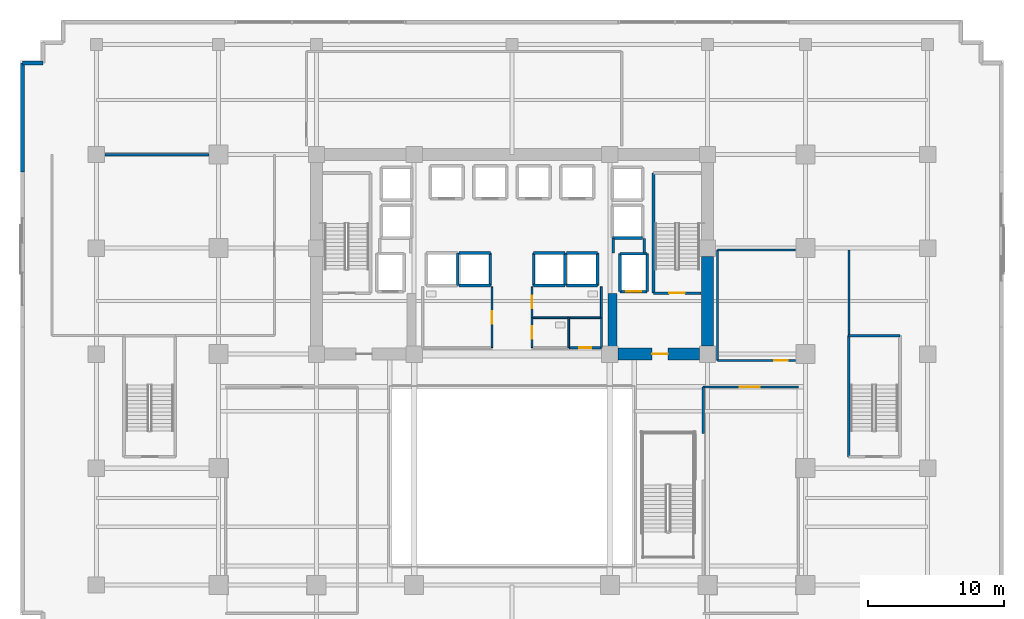
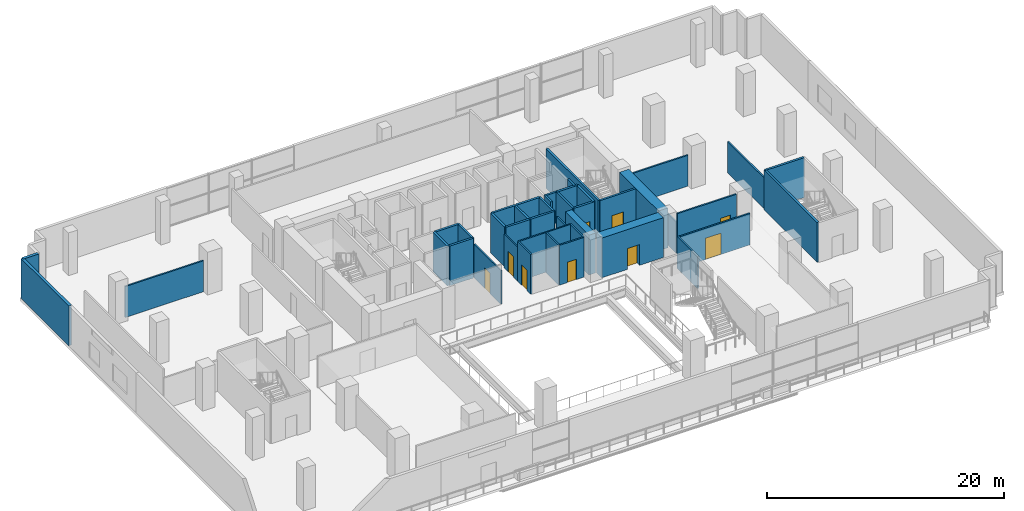
# One storey, part 14 of 23: 42 walls, 9 doors, 9 openings.
"""IFC4 building model written with IfcOpenShell, lengths in metres."""

from ifc_helpers import new_model, si_unit, direction, frame, frame_2d, origin, place, context, subcontext, project, spatial, rectangle, extrude, source, transform, mapped, material, layer, layer_set, type_object, element, fill, save


model = new_model("IFC4")

# Units and contexts
model_context = context("Model", 3, precision=1e-05, world=origin(), true_north=direction((0.0, 1.0)))
body_context = subcontext(model_context, "Body", "Model", "MODEL_VIEW")
ifc_project = project(units=[si_unit("LENGTHUNIT", "METRE"), si_unit("AREAUNIT", "SQUARE_METRE"), si_unit("VOLUMEUNIT", "CUBIC_METRE"), si_unit("PLANEANGLEUNIT", "RADIAN"), si_unit("MASSUNIT", "GRAM", prefix="KILO")], contexts=[model_context])

# Site, building, storey
site_placement = place(None, origin())
site = spatial("IfcSite", under=ifc_project, at=site_placement, CompositionType="ELEMENT")
building_placement = place(site_placement, origin())
building = spatial("IfcBuilding", under=site, at=building_placement, Name="Zarnakvel Exchange Tower", CompositionType="ELEMENT")
storey_placement = place(building_placement, frame((0.0, 0.0, 13.800048828125)))
storey = spatial("IfcBuildingStorey", under=building, at=storey_placement, Name="L03", CompositionType="ELEMENT", Elevation=13.800048828125)

# Wall
ifc_material_1 = material(Name="Concrete C80/95", Category="concrete")
ifc_layer_1 = layer(ifc_material_1, 0.89990234375)
ifc_layer_set_1 = layer_set([ifc_layer_1], Name="Concrete C80/95")
wall_type_1 = type_object("IfcWallType", Name="CW-C1", PredefinedType="SHEAR", material=ifc_layer_set_1)
wall_1_placement = place(storey_placement, frame((14.39990234375, -0.60009765625, 0.0), z_axis=(0.0, 0.0, 1.0), x_axis=(0.0, 1.0, 0.0)))
element("IfcWall", 1, at=wall_1_placement, inside=storey, type_object=wall_type_1, Name="L03 Rear Core Shear Wall E1 (CW-C1)", PredefinedType="SHEAR", context=body_context, shape_type="SweptSolid", body=[
    extrude(rectangle(XDim=6.60009765625, YDim=0.89990234375, at=frame_2d((3.300048828125, 0.0))), origin(), (0.0, 0.0, 1.0), 4.099853515625),
])

# Wall, opening, door
wall_2_placement = place(storey_placement, frame((13.800048828125, -1.199951171875, 0.0), z_axis=(0.0, 0.0, 1.0), x_axis=(-1.0, 0.0, 0.0)))
wall_2 = element("IfcWall", 2, at=wall_2_placement, inside=storey, type_object=wall_type_1, Name="L03 Rear Core Shear Wall SE (CW-C1)", PredefinedType="SHEAR", context=body_context, shape_type="SweptSolid", body=[
    extrude(rectangle(XDim=6.0, YDim=0.89990234375, at=frame_2d((3.0, 0.0))), origin(), (0.0, 0.0, 1.0), 4.099853515625),
])
opening_1_placement = place(wall_2_placement, frame((2.324951171875, 0.0, 0.0)))
opening_1 = element("IfcOpeningElement", 3, at=opening_1_placement, cuts=wall_2, Name="Opening D-L03-04", PredefinedType="OPENING", context=body_context, shape_type="SweptSolid", body=[
    extrude(rectangle(XDim=1.14990234375, YDim=2.14990234375, at=frame_2d((0.574951171875, 1.074951171875))), frame((0.0, 0.4599609375, 0.0), z_axis=(0.0, -1.0, 0.0), x_axis=(1.0, 0.0, 0.0)), (0.0, 0.0, 1.0), 0.919921875),
])
ifc_material_2 = material(Name="Painted Galvanised Steel S355", Category="steel")
door_type_1 = type_object("IfcDoorType", Name="DT-04", OperationType="NOTDEFINED", PredefinedType="DOOR", material=ifc_material_2)
shared_shape_1 = source(origin(), body_context, "Body", "SweptSolid", [
    extrude(rectangle(XDim=1.14990234375, YDim=2.14990234375, at=frame_2d((0.574951171875, 1.074951171875))), frame((0.0, 0.02490234375, 0.0), z_axis=(0.0, -1.0, 0.0), x_axis=(1.0, 0.0, 0.0)), (0.0, 0.0, 1.0), 0.050048828125),
])
door_1_placement = place(opening_1_placement, origin())
door_1 = element("IfcDoor", 4, at=door_1_placement, inside=storey, type_object=door_type_1, Name="L03 Firefighting Lobby East Door D-L03-04", OperationType="SINGLE_SWING_RIGHT", OverallHeight=2.14990234375, OverallWidth=1.14990234375, PredefinedType="DOOR", context=body_context, shape_type="MappedRepresentation", body=[
    mapped(shared_shape_1, transform((0.0, 0.0, 0.0), x_axis=(1.0, 0.0, 0.0), y_axis=(0.0, 1.0, 0.0), z_axis=(0.0, 0.0, 1.0), scale=1.0)),
])
fill(opening_1, door_1)

# Walls
ifc_layer_2 = layer(ifc_material_1, 0.64990234375)
ifc_layer_set_2 = layer_set([ifc_layer_2], Name="Concrete C80/95")
wall_type_2 = type_object("IfcWallType", Name="CW-C2", PredefinedType="SHEAR", material=ifc_layer_set_2)
wall_3_placement = place(storey_placement, frame((7.39990234375, -0.75, 0.0), z_axis=(0.0, 0.0, 1.0), x_axis=(0.0, 1.0, 0.0)))
element("IfcWall", 5, at=wall_3_placement, inside=storey, type_object=wall_type_2, Name="L03 Rear Core Shear Wall IE (CW-C2)", PredefinedType="SHEAR", context=body_context, shape_type="SweptSolid", body=[
    extrude(rectangle(XDim=4.0, YDim=0.64990234375, at=frame_2d((2.0, 0.0))), origin(), (0.0, 0.0, 1.0), 4.099853515625),
])
ifc_material_3 = material(Name="Precast concrete C40/50", Category="concrete")
ifc_layer_3 = layer(ifc_material_3, 0.280029296875)
ifc_layer_set_3 = layer_set([ifc_layer_3], Name="Precast concrete C40/50")
wall_type_3 = type_object("IfcWallType", Name="EW-01", PredefinedType="SOLIDWALL", material=ifc_layer_set_3)
wall_4_placement = place(storey_placement, frame((-36.0400390625, 20.239990234375, 0.0), z_axis=(0.0, 0.0, 1.0), x_axis=(0.0, -1.0, 0.0)))
element("IfcWall", 6, at=wall_4_placement, inside=storey, type_object=wall_type_3, Name="L03 Exterior Precast Spandrel Wall EWC-L03-02 (EW-01)", PredefinedType="SOLIDWALL", context=body_context, shape_type="SweptSolid", body=[
    extrude(rectangle(XDim=8.0400390625, YDim=0.280029296875, at=frame_2d((4.02001953125, 0.0))), origin(), (0.0, 0.0, 1.0), 4.099853515625),
])
wall_5_placement = place(storey_placement, frame((-34.5400390625, 20.239990234375, 0.0), z_axis=(0.0, 0.0, 1.0), x_axis=(-1.0, 0.0, 0.0)))
element("IfcWall", 7, at=wall_5_placement, inside=storey, type_object=wall_type_3, Name="L03 Exterior Precast Spandrel Wall EWC-L03-03 (EW-01)", PredefinedType="SOLIDWALL", context=body_context, shape_type="SweptSolid", body=[
    extrude(rectangle(XDim=1.5, YDim=0.280029296875, at=frame_2d((0.75, 0.0))), origin(), (0.0, 0.0, 1.0), 4.099853515625),
])

# Wall, opening, door
ifc_material_4 = material(Name="Fire-Rated Gypsum Stud Partition", Category="gypsum")
ifc_layer_4 = layer(ifc_material_4, 0.14990234375)
ifc_layer_set_4 = layer_set([ifc_layer_4], Name="Fire-Rated Gypsum Stud Partition")
wall_type_4 = type_object("IfcWallType", Name="PT-01", PredefinedType="PARTITIONING", material=ifc_layer_set_4)
wall_6_placement = place(storey_placement, frame((6.580078125, -0.72998046875, 0.0), z_axis=(0.0, 0.0, 1.0), x_axis=(-1.0, 0.0, 0.0)))
wall_6 = element("IfcWall", 8, at=wall_6_placement, inside=storey, type_object=wall_type_4, Name="L03 Partition Wall PWALL-L03-020 (PT-01)", PredefinedType="PARTITIONING", context=body_context, shape_type="SweptSolid", body=[
    extrude(rectangle(XDim=2.400146484375, YDim=0.14990234375, at=frame_2d((1.2001953125, 0.0))), origin(), (0.0, 0.0, 1.0), 4.099853515625),
])
opening_2_placement = place(wall_6_placement, frame((0.760009765625, 0.0, 0.0)))
opening_2 = element("IfcOpeningElement", 9, at=opening_2_placement, cuts=wall_6, Name="Opening D-L03-08", PredefinedType="OPENING", context=body_context, shape_type="SweptSolid", body=[
    extrude(rectangle(XDim=0.8798828125, YDim=2.10009765625, at=frame_2d((0.43994140625, 1.050048828125))), frame((0.0, 0.0849609375, 0.0), z_axis=(0.0, -1.0, 0.0), x_axis=(1.0, 0.0, 0.0)), (0.0, 0.0, 1.0), 0.169921875),
])
door_type_2 = type_object("IfcDoorType", Name="DT-08", OperationType="NOTDEFINED", PredefinedType="DOOR", material=ifc_material_2)
shared_shape_2 = source(origin(), body_context, "Body", "SweptSolid", [
    extrude(rectangle(XDim=0.8798828125, YDim=2.10009765625, at=frame_2d((0.43994140625, 1.050048828125))), frame((0.0, 0.02490234375, 0.0), z_axis=(0.0, -1.0, 0.0), x_axis=(1.0, 0.0, 0.0)), (0.0, 0.0, 1.0), 0.050048828125),
])
door_2_placement = place(opening_2_placement, origin())
door_2 = element("IfcDoor", 10, at=door_2_placement, inside=storey, type_object=door_type_2, Name="L03 Cleaners Store Door D-L03-08", OperationType="SINGLE_SWING_RIGHT", OverallHeight=2.10009765625, OverallWidth=0.8798828125, PredefinedType="DOOR", context=body_context, shape_type="MappedRepresentation", body=[
    mapped(shared_shape_2, transform((0.0, 0.0, 0.0), x_axis=(1.0, 0.0, 0.0), y_axis=(0.0, 1.0, 0.0), z_axis=(0.0, 0.0, 1.0), scale=1.0)),
])
fill(opening_2, door_2)

# Wall
wall_7_placement = place(storey_placement, frame((6.580078125, 1.47998046875, 0.0), z_axis=(0.0, 0.0, 1.0), x_axis=(0.0, -1.0, 0.0)))
element("IfcWall", 11, at=wall_7_placement, inside=storey, type_object=wall_type_4, Name="L03 Partition Wall PWALL-L03-021 (PT-01)", PredefinedType="PARTITIONING", context=body_context, shape_type="SweptSolid", body=[
    extrude(rectangle(XDim=2.2099609375, YDim=0.14990234375, at=frame_2d((1.10498046875, 0.0))), origin(), (0.0, 0.0, 1.0), 4.099853515625),
])

# Wall, opening, door
wall_8_placement = place(storey_placement, frame((14.080078125, -3.6298828125, 0.0), z_axis=(0.0, 0.0, 1.0), x_axis=(1.0, 0.0, 0.0)))
wall_8 = element("IfcWall", 12, at=wall_8_placement, inside=storey, type_object=wall_type_4, Name="L03 Partition Wall PWALL-L03-035 (PT-01)", PredefinedType="PARTITIONING", context=body_context, shape_type="SweptSolid", body=[
    extrude(rectangle(XDim=7.0, YDim=0.14990234375, at=frame_2d((3.5, 0.0))), origin(), (0.0, 0.0, 1.0), 3.239013671875),
])
opening_3_placement = place(wall_8_placement, frame((2.669921875, 0.0, 0.0)))
opening_3 = element("IfcOpeningElement", 13, at=opening_3_placement, cuts=wall_8, Name="Opening D-L03-12", PredefinedType="OPENING", context=body_context, shape_type="SweptSolid", body=[
    extrude(rectangle(XDim=1.5, YDim=2.199951171875, at=frame_2d((0.75, 1.10009765625))), frame((0.0, 0.0849609375, 0.0), z_axis=(0.0, -1.0, 0.0), x_axis=(1.0, 0.0, 0.0)), (0.0, 0.0, 1.0), 0.169921875),
])
ifc_material_5 = material(Name="Timber Acoustic Veneer", Category="wood")
door_type_3 = type_object("IfcDoorType", Name="DT-03", OperationType="NOTDEFINED", PredefinedType="DOOR", material=ifc_material_5)
shared_shape_3 = source(origin(), body_context, "Body", "SweptSolid", [
    extrude(rectangle(XDim=1.5, YDim=2.199951171875, at=frame_2d((0.75, 1.10009765625))), frame((0.0, 0.02490234375, 0.0), z_axis=(0.0, -1.0, 0.0), x_axis=(1.0, 0.0, 0.0)), (0.0, 0.0, 1.0), 0.050048828125),
])
door_3_placement = place(opening_3_placement, origin())
door_3 = element("IfcDoor", 14, at=door_3_placement, inside=storey, type_object=door_type_3, Name="L03 Auditorium Breakout Foyer Door D-L03-12", OperationType="DOUBLE_DOOR_SINGLE_SWING", OverallHeight=2.199951171875, OverallWidth=1.5, PredefinedType="DOOR", context=body_context, shape_type="MappedRepresentation", body=[
    mapped(shared_shape_3, transform((0.0, 0.0, 0.0), x_axis=(1.0, 0.0, 0.0), y_axis=(0.0, 1.0, 0.0), z_axis=(0.0, 0.0, 1.0), scale=1.0)),
])
fill(opening_3, door_3)

# Walls
wall_9_placement = place(storey_placement, frame((14.080078125, -7.050048828125, 0.0), z_axis=(0.0, 0.0, 1.0), x_axis=(0.0, 1.0, 0.0)))
element("IfcWall", 15, at=wall_9_placement, inside=storey, type_object=wall_type_4, Name="L03 Partition Wall PWALL-L03-037 (PT-01)", PredefinedType="PARTITIONING", context=body_context, shape_type="SweptSolid", body=[
    extrude(rectangle(XDim=3.420166015625, YDim=0.14990234375, at=frame_2d((1.7099609375, 0.0))), origin(), (0.0, 0.0, 1.0), 3.2900390625),
])
wall_10_placement = place(storey_placement, frame((-29.97998046875, 13.47998046875, 0.0), z_axis=(0.0, 0.0, 1.0), x_axis=(1.0, 0.0, 0.0)))
element("IfcWall", 16, at=wall_10_placement, inside=storey, type_object=wall_type_4, Name="L03 Partition Wall PWALL-L03-041 (PT-01)", PredefinedType="PARTITIONING", context=body_context, shape_type="SweptSolid", body=[
    extrude(rectangle(XDim=7.659912109375, YDim=0.14990234375, at=frame_2d((3.830078125, 0.0))), origin(), (0.0, 0.0, 1.0), 3.18994140625),
])

# Wall, opening, door
wall_11_placement = place(storey_placement, frame((20.8798828125, -1.669921875, 0.0), z_axis=(0.0, 0.0, 1.0), x_axis=(-1.0, 0.0, 0.0)))
wall_11 = element("IfcWall", 17, at=wall_11_placement, inside=storey, type_object=wall_type_4, Name="L03 Partition Wall PWALL-L03-044 (PT-01)", PredefinedType="PARTITIONING", context=body_context, shape_type="SweptSolid", body=[
    extrude(rectangle(XDim=5.759765625, YDim=0.14990234375, at=frame_2d((2.8798828125, 0.0))), origin(), (0.0, 0.0, 1.0), 4.099853515625),
])
opening_4_placement = place(wall_11_placement, frame((0.590087890625, 0.0, 0.0)))
opening_4 = element("IfcOpeningElement", 18, at=opening_4_placement, cuts=wall_11, Name="Opening D-L03-14", PredefinedType="OPENING", context=body_context, shape_type="SweptSolid", body=[
    extrude(rectangle(XDim=0.97998046875, YDim=2.14990234375, at=frame_2d((0.489990234375, 1.074951171875))), frame((0.0, 0.0849609375, 0.0), z_axis=(0.0, -1.0, 0.0), x_axis=(1.0, 0.0, 0.0)), (0.0, 0.0, 1.0), 0.169921875),
])
door_type_4 = type_object("IfcDoorType", Name="DT-05", OperationType="NOTDEFINED", PredefinedType="DOOR", material=ifc_material_5)
shared_shape_4 = source(origin(), body_context, "Body", "SweptSolid", [
    extrude(rectangle(XDim=0.97998046875, YDim=2.14990234375, at=frame_2d((0.489990234375, 1.074951171875))), frame((0.0, 0.02490234375, 0.0), z_axis=(0.0, -1.0, 0.0), x_axis=(1.0, 0.0, 0.0)), (0.0, 0.0, 1.0), 0.050048828125),
])
door_4_placement = place(opening_4_placement, origin())
door_4 = element("IfcDoor", 19, at=door_4_placement, inside=storey, type_object=door_type_4, Name="L03 Governors Boardroom Door D-L03-14", OperationType="SINGLE_SWING_RIGHT", OverallHeight=2.14990234375, OverallWidth=0.97998046875, PredefinedType="DOOR", context=body_context, shape_type="MappedRepresentation", body=[
    mapped(shared_shape_4, transform((0.0, 0.0, 0.0), x_axis=(1.0, 0.0, 0.0), y_axis=(0.0, 1.0, 0.0), z_axis=(0.0, 0.0, 1.0), scale=1.0)),
])
fill(opening_4, door_4)

# Walls
wall_12_placement = place(storey_placement, frame((15.1201171875, 6.47998046875, 0.0), z_axis=(0.0, 0.0, 1.0), x_axis=(1.0, 0.0, 0.0)))
element("IfcWall", 20, at=wall_12_placement, inside=storey, type_object=wall_type_4, Name="L03 Partition Wall PWALL-L03-045 (PT-01)", PredefinedType="PARTITIONING", context=body_context, shape_type="SweptSolid", body=[
    extrude(rectangle(XDim=5.759765625, YDim=0.14990234375, at=frame_2d((2.8798828125, 0.0))), origin(), (0.0, 0.0, 1.0), 3.18994140625),
])
wall_13_placement = place(storey_placement, frame((15.1201171875, -1.669921875, 0.0), z_axis=(0.0, 0.0, 1.0), x_axis=(0.0, 1.0, 0.0)))
element("IfcWall", 21, at=wall_13_placement, inside=storey, type_object=wall_type_4, Name="L03 Partition Wall PWALL-L03-046 (PT-01)", PredefinedType="PARTITIONING", context=body_context, shape_type="SweptSolid", body=[
    extrude(rectangle(XDim=8.14990234375, YDim=0.14990234375, at=frame_2d((4.074951171875, 0.0))), origin(), (0.0, 0.0, 1.0), 3.18994140625),
])
wall_14_placement = place(storey_placement, frame((24.820068359375, 6.47998046875, 0.0), z_axis=(0.0, 0.0, 1.0), x_axis=(0.0, -1.0, 0.0)))
element("IfcWall", 22, at=wall_14_placement, inside=storey, type_object=wall_type_4, Name="L03 Partition Wall PWALL-L03-047 (PT-01)", PredefinedType="PARTITIONING", context=body_context, shape_type="SweptSolid", body=[
    extrude(rectangle(XDim=6.320068359375, YDim=0.14990234375, at=frame_2d((3.16015625, 0.0))), origin(), (0.0, 0.0, 1.0), 3.18994140625),
])
ifc_layer_5 = layer(ifc_material_4, 0.179931640625)
ifc_layer_set_5 = layer_set([ifc_layer_5], Name="Fire-Rated Gypsum Stud Partition")
wall_type_5 = type_object("IfcWallType", Name="PT-02", PredefinedType="PARTITIONING", material=ifc_layer_set_5)
wall_15_placement = place(storey_placement, frame((7.469970703125, 6.239990234375, 0.0), z_axis=(0.0, 0.0, 1.0), x_axis=(0.0, 1.0, 0.0)))
element("IfcWall", 23, at=wall_15_placement, inside=storey, type_object=wall_type_5, Name="L03 Partition Wall PWALL-L03-009 (PT-02)", PredefinedType="PARTITIONING", context=body_context, shape_type="SweptSolid", body=[
    extrude(rectangle(XDim=1.090087890625, YDim=0.179931640625, at=frame_2d((0.544921875, 0.0))), origin(), (0.0, 0.0, 1.0), 3.18994140625),
])
wall_16_placement = place(storey_placement, frame((9.72998046875, 7.330078125, 0.0), z_axis=(0.0, 0.0, 1.0), x_axis=(0.0, -1.0, 0.0)))
element("IfcWall", 24, at=wall_16_placement, inside=storey, type_object=wall_type_5, Name="L03 Partition Wall PWALL-L03-010 (PT-02)", PredefinedType="PARTITIONING", context=body_context, shape_type="SweptSolid", body=[
    extrude(rectangle(XDim=1.090087890625, YDim=0.179931640625, at=frame_2d((0.544921875, 0.0))), origin(), (0.0, 0.0, 1.0), 4.099853515625),
])

# Wall, opening, door
ifc_material_6 = material(Name="Moisture-Resistant Tile-Faced Partition", Category="gypsum")
ifc_layer_6 = layer(ifc_material_6, 0.135009765625)
ifc_layer_set_6 = layer_set([ifc_layer_6], Name="Moisture-Resistant Tile-Faced Partition")
wall_type_6 = type_object("IfcWallType", Name="PT-03", PredefinedType="PARTITIONING", material=ifc_layer_set_6)
wall_17_placement = place(storey_placement, frame((-1.469970703125, 3.760009765625, 0.0), z_axis=(0.0, 0.0, 1.0), x_axis=(0.0, -1.0, 0.0)))
wall_17 = element("IfcWall", 25, at=wall_17_placement, inside=storey, type_object=wall_type_6, Name="L03 Partition Wall PWALL-L03-013 (PT-03)", PredefinedType="PARTITIONING", context=body_context, shape_type="SweptSolid", body=[
    extrude(rectangle(XDim=4.489990234375, YDim=0.135009765625, at=frame_2d((2.2451171875, 0.0))), origin(), (0.0, 0.0, 1.0), 3.47265625),
])
opening_5_placement = place(wall_17_placement, frame((1.800048828125, 0.0, 0.0)))
opening_5 = element("IfcOpeningElement", 26, at=opening_5_placement, cuts=wall_17, Name="Opening D-L03-05", PredefinedType="OPENING", context=body_context, shape_type="SweptSolid", body=[
    extrude(rectangle(XDim=0.919921875, YDim=2.10009765625, at=frame_2d((0.4599609375, 1.050048828125))), frame((0.0, 0.077392578125, 0.0), z_axis=(0.0, -1.0, 0.0), x_axis=(1.0, 0.0, 0.0)), (0.0, 0.0, 1.0), 0.155029296875),
])
ifc_material_7 = material(Name="Moisture-Resistant Laminate Timber", Category="wood")
door_type_5 = type_object("IfcDoorType", Name="DT-07", OperationType="NOTDEFINED", PredefinedType="DOOR", material=ifc_material_7)
shared_shape_5 = source(origin(), body_context, "Body", "SweptSolid", [
    extrude(rectangle(XDim=0.919921875, YDim=2.10009765625, at=frame_2d((0.4599609375, 1.050048828125))), frame((0.0, 0.02490234375, 0.0), z_axis=(0.0, -1.0, 0.0), x_axis=(1.0, 0.0, 0.0)), (0.0, 0.0, 1.0), 0.050048828125),
])
door_5_placement = place(opening_5_placement, origin())
door_5 = element("IfcDoor", 27, at=door_5_placement, inside=storey, type_object=door_type_5, Name="L03 Male Toilet Door D-L03-05", OperationType="SINGLE_SWING_LEFT", OverallHeight=2.10009765625, OverallWidth=0.919921875, PredefinedType="DOOR", context=body_context, shape_type="MappedRepresentation", body=[
    mapped(shared_shape_5, transform((0.0, 0.0, 0.0), x_axis=(1.0, 0.0, 0.0), y_axis=(0.0, 1.0, 0.0), z_axis=(0.0, 0.0, 1.0), scale=1.0)),
])
fill(opening_5, door_5)

# Wall
wall_18_placement = place(storey_placement, frame((6.580078125, 1.47998046875, 0.0), z_axis=(0.0, 0.0, 1.0), x_axis=(-1.0, 0.0, 0.0)))
element("IfcWall", 28, at=wall_18_placement, inside=storey, type_object=wall_type_6, Name="L03 Partition Wall PWALL-L03-014 (PT-03)", PredefinedType="PARTITIONING", context=body_context, shape_type="SweptSolid", body=[
    extrude(rectangle(XDim=5.110107421875, YDim=0.135009765625, at=frame_2d((2.55517578125, 0.0))), origin(), (0.0, 0.0, 1.0), 4.099853515625),
])

# Wall, opening, door
wall_19_placement = place(storey_placement, frame((1.469970703125, 1.47998046875, 0.0), z_axis=(0.0, 0.0, 1.0), x_axis=(0.0, 1.0, 0.0)))
wall_19 = element("IfcWall", 29, at=wall_19_placement, inside=storey, type_object=wall_type_6, Name="L03 Partition Wall PWALL-L03-015 (PT-03)", PredefinedType="PARTITIONING", context=body_context, shape_type="SweptSolid", body=[
    extrude(rectangle(XDim=2.280029296875, YDim=0.135009765625, at=frame_2d((1.14013671875, 0.0))), origin(), (0.0, 0.0, 1.0), 3.47265625),
])
opening_6_placement = place(wall_19_placement, frame((0.679931640625, 0.0, 0.0)))
opening_6 = element("IfcOpeningElement", 30, at=opening_6_placement, cuts=wall_19, Name="Opening D-L03-06", PredefinedType="OPENING", context=body_context, shape_type="SweptSolid", body=[
    extrude(rectangle(XDim=0.919921875, YDim=2.10009765625, at=frame_2d((0.4599609375, 1.050048828125))), frame((0.0, 0.077392578125, 0.0), z_axis=(0.0, -1.0, 0.0), x_axis=(1.0, 0.0, 0.0)), (0.0, 0.0, 1.0), 0.155029296875),
])
door_6_placement = place(opening_6_placement, origin())
door_6 = element("IfcDoor", 31, at=door_6_placement, inside=storey, type_object=door_type_5, Name="L03 Female Toilet Door D-L03-06", OperationType="SINGLE_SWING_RIGHT", OverallHeight=2.10009765625, OverallWidth=0.919921875, PredefinedType="DOOR", context=body_context, shape_type="MappedRepresentation", body=[
    mapped(shared_shape_5, transform((0.0, 0.0, 0.0), x_axis=(1.0, 0.0, 0.0), y_axis=(0.0, 1.0, 0.0), z_axis=(0.0, 0.0, 1.0), scale=1.0)),
])
fill(opening_6, door_6)

# Wall
wall_20_placement = place(storey_placement, frame((6.580078125, 3.760009765625, 0.0), z_axis=(0.0, 0.0, 1.0), x_axis=(0.0, -1.0, 0.0)))
element("IfcWall", 32, at=wall_20_placement, inside=storey, type_object=wall_type_6, Name="L03 Partition Wall PWALL-L03-016 (PT-03)", PredefinedType="PARTITIONING", context=body_context, shape_type="SweptSolid", body=[
    extrude(rectangle(XDim=2.280029296875, YDim=0.135009765625, at=frame_2d((1.14013671875, 0.0))), origin(), (0.0, 0.0, 1.0), 3.47265625),
])

# Wall, opening, door
wall_21_placement = place(storey_placement, frame((1.469970703125, -0.72998046875, 0.0), z_axis=(0.0, 0.0, 1.0), x_axis=(0.0, 1.0, 0.0)))
wall_21 = element("IfcWall", 33, at=wall_21_placement, inside=storey, type_object=wall_type_6, Name="L03 Partition Wall PWALL-L03-018 (PT-03)", PredefinedType="PARTITIONING", context=body_context, shape_type="SweptSolid", body=[
    extrude(rectangle(XDim=2.2099609375, YDim=0.135009765625, at=frame_2d((1.10498046875, 0.0))), origin(), (0.0, 0.0, 1.0), 4.099853515625),
])
opening_7_placement = place(wall_21_placement, frame((0.64990234375, 0.0, 0.0)))
opening_7 = element("IfcOpeningElement", 34, at=opening_7_placement, cuts=wall_21, Name="Opening D-L03-07", PredefinedType="OPENING", context=body_context, shape_type="SweptSolid", body=[
    extrude(rectangle(XDim=0.919921875, YDim=2.10009765625, at=frame_2d((0.4599609375, 1.050048828125))), frame((0.0, 0.077392578125, 0.0), z_axis=(0.0, -1.0, 0.0), x_axis=(1.0, 0.0, 0.0)), (0.0, 0.0, 1.0), 0.155029296875),
])
door_7_placement = place(opening_7_placement, origin())
door_7 = element("IfcDoor", 35, at=door_7_placement, inside=storey, type_object=door_type_5, Name="L03 Accessible Toilet Door D-L03-07", OperationType="SINGLE_SWING_LEFT", OverallHeight=2.10009765625, OverallWidth=0.919921875, PredefinedType="DOOR", context=body_context, shape_type="MappedRepresentation", body=[
    mapped(shared_shape_5, transform((0.0, 0.0, 0.0), x_axis=(1.0, 0.0, 0.0), y_axis=(0.0, 1.0, 0.0), z_axis=(0.0, 0.0, 1.0), scale=1.0)),
])
fill(opening_7, door_7)

# Wall
wall_22_placement = place(storey_placement, frame((4.179931640625, 1.47998046875, 0.0), z_axis=(0.0, 0.0, 1.0), x_axis=(0.0, -1.0, 0.0)))
element("IfcWall", 36, at=wall_22_placement, inside=storey, type_object=wall_type_6, Name="L03 Partition Wall PWALL-L03-019 (PT-03)", PredefinedType="PARTITIONING", context=body_context, shape_type="SweptSolid", body=[
    extrude(rectangle(XDim=2.2099609375, YDim=0.135009765625, at=frame_2d((1.10498046875, 0.0))), origin(), (0.0, 0.0, 1.0), 4.099853515625),
])

# Wall, opening, door
ifc_material_8 = material(Name="Concrete C40/50", Category="concrete")
ifc_layer_7 = layer(ifc_material_8, 0.199951171875)
ifc_layer_set_7 = layer_set([ifc_layer_7], Name="Concrete C40/50")
wall_type_7 = type_object("IfcWallType", Name="SW-01", PredefinedType="SOLIDWALL", material=ifc_layer_set_7)
wall_23_placement = place(storey_placement, frame((9.949951171875, 3.39990234375, 0.0), z_axis=(0.0, 0.0, 1.0), x_axis=(-1.0, 0.0, 0.0)))
wall_23 = element("IfcWall", 37, at=wall_23_placement, inside=storey, type_object=wall_type_7, Name="L03 FL-02 Hoistway Wall South", PredefinedType="SOLIDWALL", context=body_context, shape_type="SweptSolid", body=[
    extrude(rectangle(XDim=2.0, YDim=0.199951171875, at=frame_2d((1.0, 0.0))), origin(), (0.0, 0.0, 1.0), 4.099853515625),
])
opening_8_placement = place(wall_23_placement, frame((0.449951171875, 0.0, 0.0)))
opening_8 = element("IfcOpeningElement", 38, at=opening_8_placement, cuts=wall_23, Name="Opening LD-FL-02-L03", PredefinedType="OPENING", context=body_context, shape_type="SweptSolid", body=[
    extrude(rectangle(XDim=1.10009765625, YDim=2.199951171875, at=frame_2d((0.550048828125, 1.10009765625))), frame((0.0, 0.10986328125, 0.0), z_axis=(0.0, -1.0, 0.0), x_axis=(1.0, 0.0, 0.0)), (0.0, 0.0, 1.0), 0.219970703125),
])
ifc_material_9 = material(Name="Brushed Stainless Steel", Category="steel")
door_type_6 = type_object("IfcDoorType", Name="LDT-01", OperationType="NOTDEFINED", PredefinedType="DOOR", material=ifc_material_9)
shared_shape_6 = source(origin(), body_context, "Body", "SweptSolid", [
    extrude(rectangle(XDim=1.10009765625, YDim=2.199951171875, at=frame_2d((0.550048828125, 1.10009765625))), frame((0.0, 0.02490234375, 0.0), z_axis=(0.0, -1.0, 0.0), x_axis=(1.0, 0.0, 0.0)), (0.0, 0.0, 1.0), 0.050048828125),
])
door_8_placement = place(opening_8_placement, origin())
door_8 = element("IfcDoor", 39, at=door_8_placement, inside=storey, type_object=door_type_6, Name="L03 FL-02 Lift Landing Door LD-FL-02-L03", OperationType="DOUBLE_DOOR_SLIDING", OverallHeight=2.199951171875, OverallWidth=1.10009765625, PredefinedType="DOOR", context=body_context, shape_type="MappedRepresentation", body=[
    mapped(shared_shape_6, transform((0.0, 0.0, 0.0), x_axis=(1.0, 0.0, 0.0), y_axis=(0.0, 1.0, 0.0), z_axis=(0.0, 0.0, 1.0), scale=1.0)),
])
fill(opening_8, door_8)

# Walls
wall_24_placement = place(storey_placement, frame((7.949951171875, 6.199951171875, 0.0), z_axis=(0.0, 0.0, 1.0), x_axis=(1.0, 0.0, 0.0)))
element("IfcWall", 40, at=wall_24_placement, inside=storey, type_object=wall_type_7, Name="L03 FL-02 Hoistway Wall North", PredefinedType="SOLIDWALL", context=body_context, shape_type="SweptSolid", body=[
    extrude(rectangle(XDim=2.0, YDim=0.199951171875, at=frame_2d((1.0, 0.0))), origin(), (0.0, 0.0, 1.0), 4.099853515625),
])
for number, where, z_axis, x_axis, name in (
    (41, (7.949951171875, 3.39990234375, 0.0), (0.0, 0.0, 1.0), (0.0, 1.0, 0.0), "L03 FL-02 Hoistway Wall West"),
    (42, (9.949951171875, 6.199951171875, 0.0), (0.0, 0.0, 1.0), (0.0, -1.0, 0.0), "L03 FL-02 Hoistway Wall East"),
):
    element("IfcWall", number, at=place(storey_placement, frame(where, z_axis=z_axis, x_axis=x_axis)), inside=storey, type_object=wall_type_7, Name=name, PredefinedType="SOLIDWALL", context=body_context, shape_type="SweptSolid", body=[
        extrude(rectangle(XDim=2.800048828125, YDim=0.199951171875, at=frame_2d((1.39990234375, 0.0))), origin(), (0.0, 0.0, 1.0), 4.099853515625),
    ])
wall_25_placement = place(storey_placement, frame((-4.0, 6.25, 0.0), z_axis=(0.0, 0.0, 1.0), x_axis=(0.0, -1.0, 0.0)))
element("IfcWall", 43, at=wall_25_placement, inside=storey, type_object=wall_type_7, Name="L03 PL-05 Hoistway Wall East", PredefinedType="SOLIDWALL", context=body_context, shape_type="SweptSolid", body=[
    extrude(rectangle(XDim=2.39990234375, YDim=0.199951171875, at=frame_2d((1.199951171875, 0.0))), origin(), (0.0, 0.0, 1.0), 4.099853515625),
])
for number, where, z_axis, x_axis, name in (
    (44, (-1.60009765625, 3.85009765625, 0.0), (0.0, 0.0, 1.0), (-1.0, 0.0, 0.0), "L03 PL-06 Hoistway Wall South"),
    (45, (-3.89990234375, 6.25, 0.0), (0.0, 0.0, 1.0), (1.0, 0.0, 0.0), "L03 PL-06 Hoistway Wall North"),
):
    element("IfcWall", number, at=place(storey_placement, frame(where, z_axis=z_axis, x_axis=x_axis)), inside=storey, type_object=wall_type_7, Name=name, PredefinedType="SOLIDWALL", context=body_context, shape_type="SweptSolid", body=[
        extrude(rectangle(XDim=2.2998046875, YDim=0.199951171875, at=frame_2d((1.14990234375, 0.0))), origin(), (0.0, 0.0, 1.0), 4.099853515625),
    ])
wall_26_placement = place(storey_placement, frame((-1.60009765625, 6.25, 0.0), z_axis=(0.0, 0.0, 1.0), x_axis=(0.0, -1.0, 0.0)))
element("IfcWall", 46, at=wall_26_placement, inside=storey, type_object=wall_type_7, Name="L03 PL-06 Hoistway Wall East", PredefinedType="SOLIDWALL", context=body_context, shape_type="SweptSolid", body=[
    extrude(rectangle(XDim=2.39990234375, YDim=0.199951171875, at=frame_2d((1.199951171875, 0.0))), origin(), (0.0, 0.0, 1.0), 4.099853515625),
])
for number, where, z_axis, x_axis, name in (
    (47, (3.89990234375, 3.85009765625, 0.0), (0.0, 0.0, 1.0), (-1.0, 0.0, 0.0), "L03 PL-07 Hoistway Wall South"),
    (48, (1.60009765625, 6.25, 0.0), (0.0, 0.0, 1.0), (1.0, 0.0, 0.0), "L03 PL-07 Hoistway Wall North"),
):
    element("IfcWall", number, at=place(storey_placement, frame(where, z_axis=z_axis, x_axis=x_axis)), inside=storey, type_object=wall_type_7, Name=name, PredefinedType="SOLIDWALL", context=body_context, shape_type="SweptSolid", body=[
        extrude(rectangle(XDim=2.2998046875, YDim=0.199951171875, at=frame_2d((1.14990234375, 0.0))), origin(), (0.0, 0.0, 1.0), 4.099853515625),
    ])
for number, where, z_axis, x_axis, name in (
    (49, (1.60009765625, 3.85009765625, 0.0), (0.0, 0.0, 1.0), (0.0, 1.0, 0.0), "L03 PL-07 Hoistway Wall West"),
    (50, (3.89990234375, 6.25, 0.0), (0.0, 0.0, 1.0), (0.0, -1.0, 0.0), "L03 PL-07 Hoistway Wall East"),
):
    element("IfcWall", number, at=place(storey_placement, frame(where, z_axis=z_axis, x_axis=x_axis)), inside=storey, type_object=wall_type_7, Name=name, PredefinedType="SOLIDWALL", context=body_context, shape_type="SweptSolid", body=[
        extrude(rectangle(XDim=2.39990234375, YDim=0.199951171875, at=frame_2d((1.199951171875, 0.0))), origin(), (0.0, 0.0, 1.0), 4.099853515625),
    ])
for number, where, z_axis, x_axis, name in (
    (51, (6.300048828125, 3.85009765625, 0.0), (0.0, 0.0, 1.0), (-1.0, 0.0, 0.0), "L03 PL-08 Hoistway Wall South"),
    (52, (4.0, 6.25, 0.0), (0.0, 0.0, 1.0), (1.0, 0.0, 0.0), "L03 PL-08 Hoistway Wall North"),
):
    element("IfcWall", number, at=place(storey_placement, frame(where, z_axis=z_axis, x_axis=x_axis)), inside=storey, type_object=wall_type_7, Name=name, PredefinedType="SOLIDWALL", context=body_context, shape_type="SweptSolid", body=[
        extrude(rectangle(XDim=2.300048828125, YDim=0.199951171875, at=frame_2d((1.14990234375, 0.0))), origin(), (0.0, 0.0, 1.0), 4.099853515625),
    ])
wall_27_placement = place(storey_placement, frame((6.300048828125, 6.25, 0.0), z_axis=(0.0, 0.0, 1.0), x_axis=(0.0, -1.0, 0.0)))
element("IfcWall", 53, at=wall_27_placement, inside=storey, type_object=wall_type_7, Name="L03 PL-08 Hoistway Wall East", PredefinedType="SOLIDWALL", context=body_context, shape_type="SweptSolid", body=[
    extrude(rectangle(XDim=2.39990234375, YDim=0.199951171875, at=frame_2d((1.199951171875, 0.0))), origin(), (0.0, 0.0, 1.0), 4.099853515625),
])
wall_28_placement = place(storey_placement, frame((9.60009765625, 7.35009765625, 0.0), z_axis=(0.0, 0.0, 1.0), x_axis=(-1.0, 0.0, 0.0)))
element("IfcWall", 54, at=wall_28_placement, inside=storey, type_object=wall_type_7, Name="L03 PL-11 Hoistway Wall South", PredefinedType="SOLIDWALL", context=body_context, shape_type="SweptSolid", body=[
    extrude(rectangle(XDim=2.2001953125, YDim=0.199951171875, at=frame_2d((1.10009765625, 0.0))), origin(), (0.0, 0.0, 1.0), 3.18994140625),
])

# Wall, opening, door
ifc_layer_8 = layer(ifc_material_8, 0.199951171875)
ifc_layer_set_8 = layer_set([ifc_layer_8], Name="Concrete C40/50")
wall_type_8 = type_object("IfcWallType", Name="SW-02", PredefinedType="SOLIDWALL", material=ifc_layer_set_8)
wall_29_placement = place(storey_placement, frame((13.929931640625, 3.2900390625, 0.0), z_axis=(0.0, 0.0, 1.0), x_axis=(-1.0, 0.0, 0.0)))
wall_29 = element("IfcWall", 55, at=wall_29_placement, inside=storey, type_object=wall_type_8, Name="L03 Stairwell Core Wall PWALL-L03-004 (SW-02)", PredefinedType="SOLIDWALL", context=body_context, shape_type="SweptSolid", body=[
    extrude(rectangle(XDim=3.52001953125, YDim=0.199951171875, at=frame_2d((1.760009765625, 0.0))), origin(), (0.0, 0.0, 1.0), 4.099853515625),
])
opening_9_placement = place(wall_29_placement, frame((1.205078125, 0.0, 0.0)))
opening_9 = element("IfcOpeningElement", 56, at=opening_9_placement, cuts=wall_29, Name="Opening D-L03-02", PredefinedType="OPENING", context=body_context, shape_type="SweptSolid", body=[
    extrude(rectangle(XDim=1.14990234375, YDim=2.14990234375, at=frame_2d((0.574951171875, 1.074951171875))), frame((0.0, 0.10986328125, 0.0), z_axis=(0.0, -1.0, 0.0), x_axis=(1.0, 0.0, 0.0)), (0.0, 0.0, 1.0), 0.219970703125),
])
door_9_placement = place(opening_9_placement, origin())
door_9 = element("IfcDoor", 57, at=door_9_placement, inside=storey, type_object=door_type_1, Name="L03 Stairwell ST-02 Door D-L03-02", OperationType="SINGLE_SWING_RIGHT", OverallHeight=2.14990234375, OverallWidth=1.14990234375, PredefinedType="DOOR", context=body_context, shape_type="MappedRepresentation", body=[
    mapped(shared_shape_1, transform((0.0, 0.0, 0.0), x_axis=(1.0, 0.0, 0.0), y_axis=(0.0, 1.0, 0.0), z_axis=(0.0, 0.0, 1.0), scale=1.0)),
])
fill(opening_9, door_9)

# Walls
wall_30_placement = place(storey_placement, frame((10.409912109375, 3.2900390625, 0.0), z_axis=(0.0, 0.0, 1.0), x_axis=(0.0, 1.0, 0.0)))
element("IfcWall", 58, at=wall_30_placement, inside=storey, type_object=wall_type_8, Name="L03 Stairwell Core Wall PWALL-L03-006 (SW-02)", PredefinedType="SOLIDWALL", context=body_context, shape_type="SweptSolid", body=[
    extrude(rectangle(XDim=8.83984375, YDim=0.199951171875, at=frame_2d((4.419921875, 0.0))), origin(), (0.0, 0.0, 1.0), 4.099853515625),
])
wall_31_placement = place(storey_placement, frame((24.7900390625, 0.159912109375, 0.0), z_axis=(0.0, 0.0, 1.0), x_axis=(1.0, 0.0, 0.0)))
element("IfcWall", 59, at=wall_31_placement, inside=storey, type_object=wall_type_8, Name="L03 Stairwell Core Wall PWALL-L03-027 (SW-02)", PredefinedType="SOLIDWALL", context=body_context, shape_type="SweptSolid", body=[
    extrude(rectangle(XDim=3.77001953125, YDim=0.199951171875, at=frame_2d((1.885009765625, 0.0))), origin(), (0.0, 0.0, 1.0), 4.099853515625),
])
wall_32_placement = place(storey_placement, frame((24.7900390625, -8.760009765625, 0.0), z_axis=(0.0, 0.0, 1.0), x_axis=(0.0, 1.0, 0.0)))
element("IfcWall", 60, at=wall_32_placement, inside=storey, type_object=wall_type_8, Name="L03 Stairwell Core Wall PWALL-L03-028 (SW-02)", PredefinedType="SOLIDWALL", context=body_context, shape_type="SweptSolid", body=[
    extrude(rectangle(XDim=8.919921875, YDim=0.199951171875, at=frame_2d((4.4599609375, 0.0))), origin(), (0.0, 0.0, 1.0), 4.099853515625),
])

save(model, "model.ifc")
